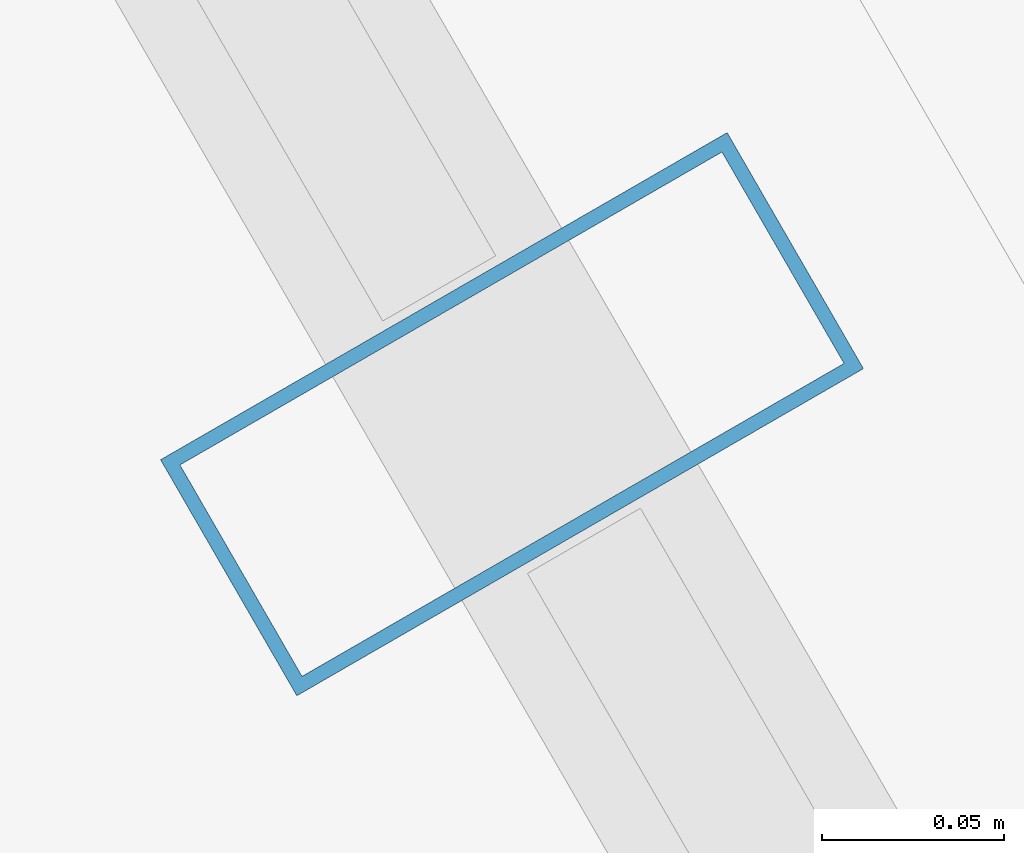
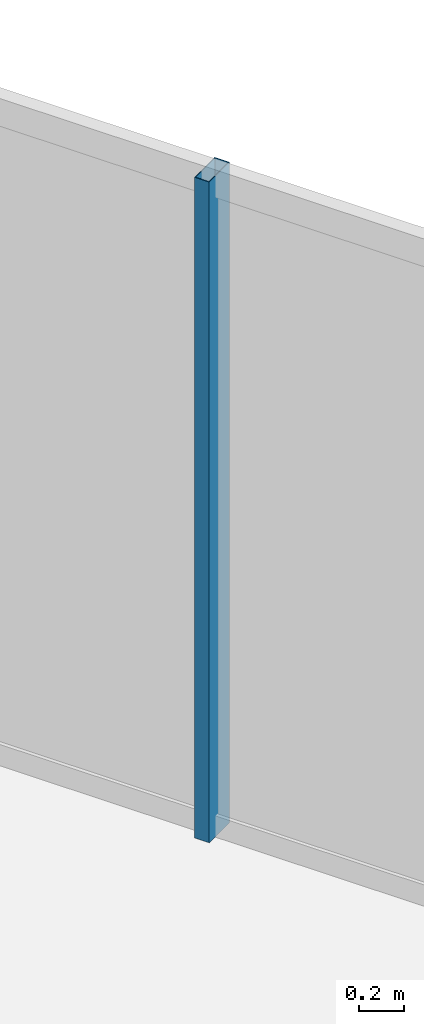
# One storey, part 21 of 36: 1 member, 1 element without a shape of its own.
"""IFC4 building model written with IfcOpenShell, lengths in metres."""

from ifc_helpers import new_model, si_unit, direction, frame, origin, origin_2d, place, context, subcontext, project, spatial, hollow_rectangle, extrude, material, layer, layer_set, material_profile, profile_set, type_object, element, aggregate, save


model = new_model("IFC4")

# Units and contexts
model_context = context("Model", 3, precision=1e-05, world=origin(), true_north=direction((0.0, 1.0)))
body_context = subcontext(model_context, "Body", "Model", "MODEL_VIEW")
ifc_project = project(units=[si_unit("LENGTHUNIT", "METRE"), si_unit("AREAUNIT", "SQUARE_METRE"), si_unit("VOLUMEUNIT", "CUBIC_METRE"), si_unit("PLANEANGLEUNIT", "RADIAN"), si_unit("MASSUNIT", "GRAM", prefix="KILO")], contexts=[model_context])

# Site, building, storey
site_placement = place(None, origin())
site = spatial("IfcSite", under=ifc_project, at=site_placement, CompositionType="ELEMENT")
building_placement = place(site_placement, origin())
building = spatial("IfcBuilding", under=site, at=building_placement, Name="Ndaravel Arena Tower", CompositionType="ELEMENT")
storey_placement = place(building_placement, frame((0.0, 0.0, 127.0)))
storey = spatial("IfcBuildingStorey", under=building, at=storey_placement, Name="L29", CompositionType="ELEMENT", Elevation=127.0)

# Curtain wall, member
ifc_material_1 = material(Name="Aluminium", Category="aluminium")
ifc_layer = layer(ifc_material_1, 0.179931640625)
ifc_layer_set = layer_set([ifc_layer], Name="Aluminium")
curtain_wall_type = type_object("IfcCurtainWallType", Name="CW-SYS-03", PredefinedType="NOTDEFINED", material=ifc_layer_set)
curtain_wall_placement = place(storey_placement, origin())
curtain_wall = element("IfcCurtainWall", 1, at=curtain_wall_placement, inside=storey, type_object=curtain_wall_type, Name="L29 Faceted Crystal Curtain Wall CW-L29-E03", PredefinedType="NOTDEFINED")
ifc_material_2 = material(Name="Aluminium", Category="aluminium")
ifc_material_profile = material_profile(ifc_material_2, hollow_rectangle(XDim=0.074951171875, YDim=0.179931640625, WallThickness=0.00390625, at=origin_2d()), Name="CW MULLION 75x180x4")
ifc_profile_set = profile_set([ifc_material_profile], Name="Aluminium")
member_type = type_object("IfcMemberType", Name="MEM-CW-MUL180", PredefinedType="MULLION", material=ifc_profile_set)
member_placement = place(storey_placement, frame((54.70849609375, 34.7255859375, 0.0), z_axis=(0.0, 0.0, 1.0), x_axis=(-0.5, 0.866025403784, 0.0)))
member = element("IfcMember", 2, at=member_placement, type_object=member_type, Name="CW-L29-E03 Mullion 05", PredefinedType="MULLION", context=body_context, shape_type="SweptSolid", body=[
    extrude(hollow_rectangle(XDim=0.074951171875, YDim=0.179931640625, WallThickness=0.00390625, at=origin_2d()), origin(), (0.0, 0.0, 1.0), 3.580078125),
])
aggregate(curtain_wall, [member])

save(model, "model.ifc")
